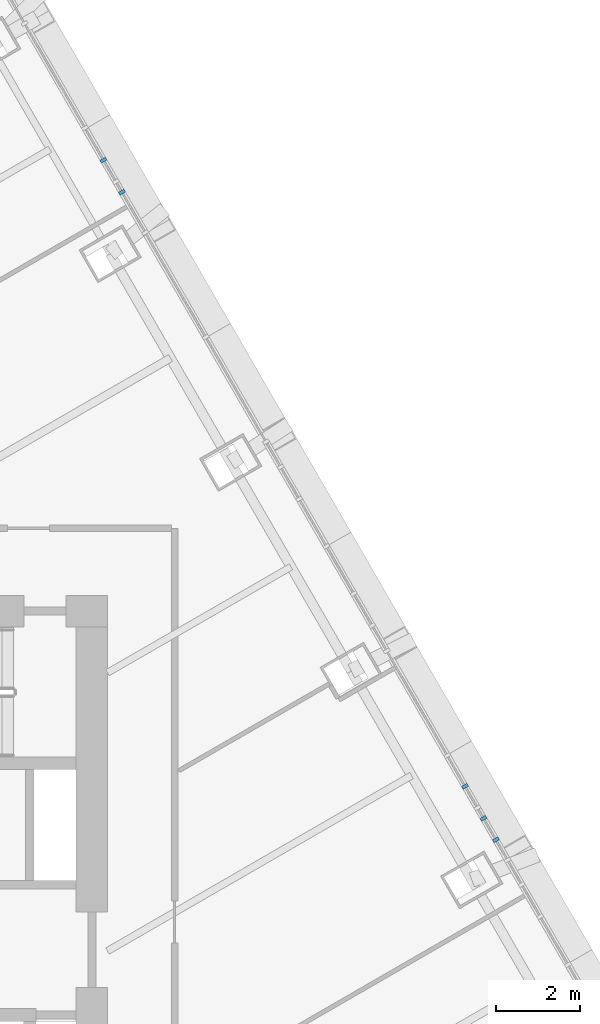
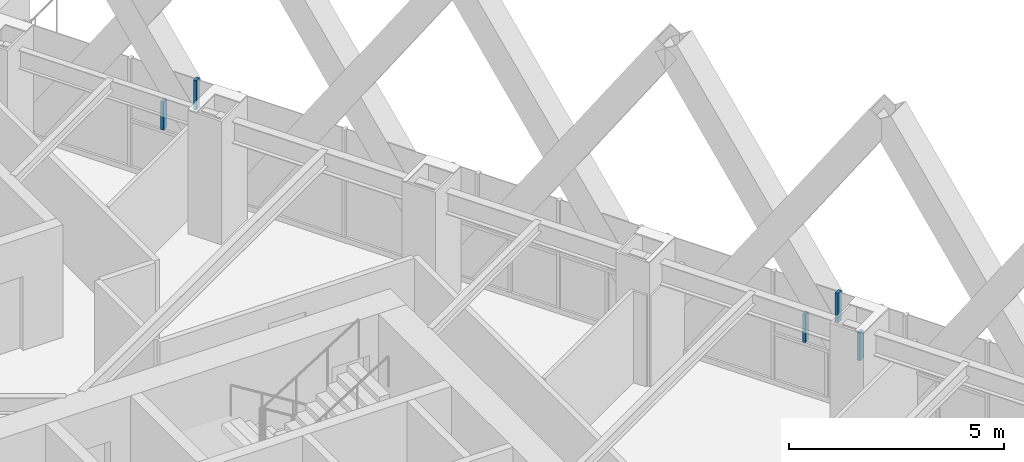
# One storey, part 10 of 24: 5 members, 1 element without a shape of its own.
"""IFC4 building model written with IfcOpenShell, lengths in metres."""

from ifc_helpers import new_model, si_unit, direction, frame, origin, origin_2d, place, context, subcontext, project, spatial, rectangle, extrude, material, layer, layer_set, material_profile, profile_set, type_object, element, aggregate, save


model = new_model("IFC4")

# Units and contexts
model_context = context("Model", 3, precision=1e-05, world=origin(), true_north=direction((0.0, 1.0)))
body_context = subcontext(model_context, "Body", "Model", "MODEL_VIEW")
ifc_project = project(units=[si_unit("LENGTHUNIT", "METRE"), si_unit("AREAUNIT", "SQUARE_METRE"), si_unit("VOLUMEUNIT", "CUBIC_METRE"), si_unit("PLANEANGLEUNIT", "RADIAN"), si_unit("MASSUNIT", "GRAM", prefix="KILO")], contexts=[model_context])

# Site, building, storey
site_placement = place(None, origin())
site = spatial("IfcSite", under=ifc_project, at=site_placement, CompositionType="ELEMENT")
building_placement = place(site_placement, origin())
building = spatial("IfcBuilding", under=site, at=building_placement, Name="Firuza Gate Tower and Library", CompositionType="ELEMENT")
storey_placement = place(building_placement, frame((0.0, 0.0, 323.10009765625)))
storey = spatial("IfcBuildingStorey", under=building, at=storey_placement, Name="L79", CompositionType="ELEMENT", Elevation=323.10009765625)

# Curtain wall, members
ifc_material_1 = material(Name="Aluminium 6063-T6", Category="aluminium")
ifc_layer = layer(ifc_material_1, 0.14990234375)
ifc_layer_set = layer_set([ifc_layer], Name="Unitised curtain wall, residences")
curtain_wall_type = type_object("IfcCurtainWallType", Name="Unitised curtain wall, residences", PredefinedType="NOTDEFINED", material=ifc_layer_set)
curtain_wall_placement = place(storey_placement, origin())
curtain_wall = element("IfcCurtainWall", 1, at=curtain_wall_placement, inside=storey, type_object=curtain_wall_type, Name="CW3 L79 E face", PredefinedType="NOTDEFINED")
ifc_material_2 = material(Name="Aluminium 6063-T6", Category="aluminium")
ifc_material_profile = material_profile(ifc_material_2, rectangle(XDim=0.14990234375, YDim=0.080078125, at=origin_2d()))
ifc_profile_set = profile_set([ifc_material_profile], Name="Aluminium 6063-T6")
member_type = type_object("IfcMemberType", Name="Curtain wall mullion 80x150", PredefinedType="MULLION", material=ifc_profile_set)
member_1_placement = place(storey_placement, frame((92.755126953125, 75.925048828125, 1.489990234375), z_axis=(0.0, 0.0, 1.0), x_axis=(-0.866025403784, -0.5, 0.0)))
member_1 = element("IfcMember", 2, at=member_1_placement, type_object=member_type, Name="Mullion", PredefinedType="MULLION", context=body_context, shape_type="SweptSolid", body=[
    extrude(rectangle(XDim=0.14990234375, YDim=0.080078125, at=origin_2d()), origin(), (0.0, 0.0, 1.0), 0.794921875),
])
member_2_placement = place(storey_placement, frame((92.019287109375, 77.199951171875, 1.489990234375), z_axis=(0.0, 0.0, 1.0), x_axis=(-0.866025403784, -0.5, 0.0)))
member_2 = element("IfcMember", 3, at=member_2_placement, type_object=member_type, Name="Mullion", PredefinedType="MULLION", context=body_context, shape_type="SweptSolid", body=[
    extrude(rectangle(XDim=0.14990234375, YDim=0.080078125, at=origin_2d()), origin(), (0.0, 0.0, 1.0), 0.794921875),
])
member_3_placement = place(storey_placement, frame((92.45947265625, 76.43701171875, 2.364990234375), z_axis=(0.0, 0.0, 1.0), x_axis=(-0.866025403784, -0.5, 0.0)))
member_3 = element("IfcMember", 4, at=member_3_placement, type_object=member_type, Name="Mullion", PredefinedType="MULLION", context=body_context, shape_type="SweptSolid", body=[
    extrude(rectangle(XDim=0.14990234375, YDim=0.080078125, at=origin_2d()), origin(), (0.0, 0.0, 1.0), 0.8349609375),
])
member_4_placement = place(storey_placement, frame((83.403076171875, 92.123291015625, 1.489990234375), z_axis=(0.0, 0.0, 1.0), x_axis=(-0.866025403784, -0.5, 0.0)))
member_4 = element("IfcMember", 5, at=member_4_placement, type_object=member_type, Name="Mullion", PredefinedType="MULLION", context=body_context, shape_type="SweptSolid", body=[
    extrude(rectangle(XDim=0.14990234375, YDim=0.080078125, at=origin_2d()), origin(), (0.0, 0.0, 1.0), 0.794921875),
])
member_5_placement = place(storey_placement, frame((83.843505859375, 91.3603515625, 2.364990234375), z_axis=(0.0, 0.0, 1.0), x_axis=(-0.866025403784, -0.5, 0.0)))
member_5 = element("IfcMember", 6, at=member_5_placement, type_object=member_type, Name="Mullion", PredefinedType="MULLION", context=body_context, shape_type="SweptSolid", body=[
    extrude(rectangle(XDim=0.14990234375, YDim=0.080078125, at=origin_2d()), origin(), (0.0, 0.0, 1.0), 0.8349609375),
])
aggregate(curtain_wall, [member_1, member_2, member_3, member_4, member_5])

save(model, "model.ifc")
